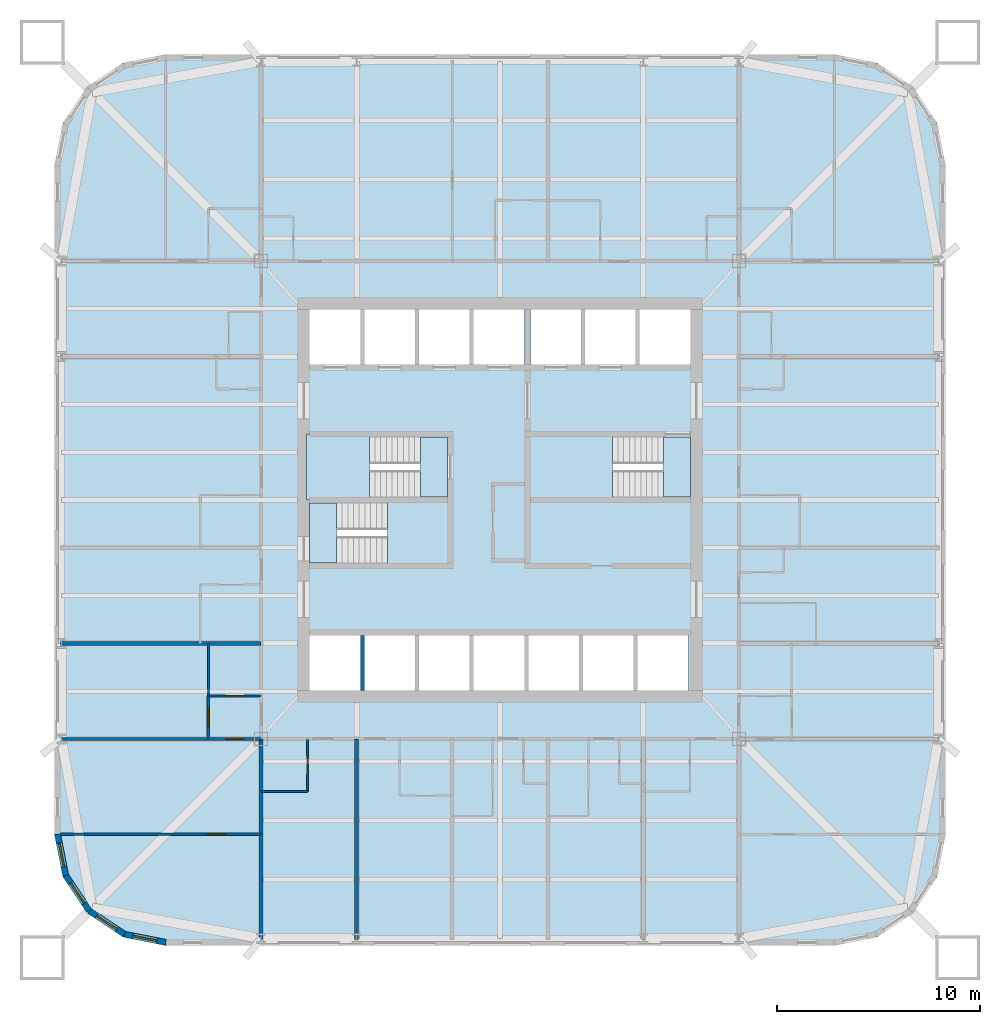
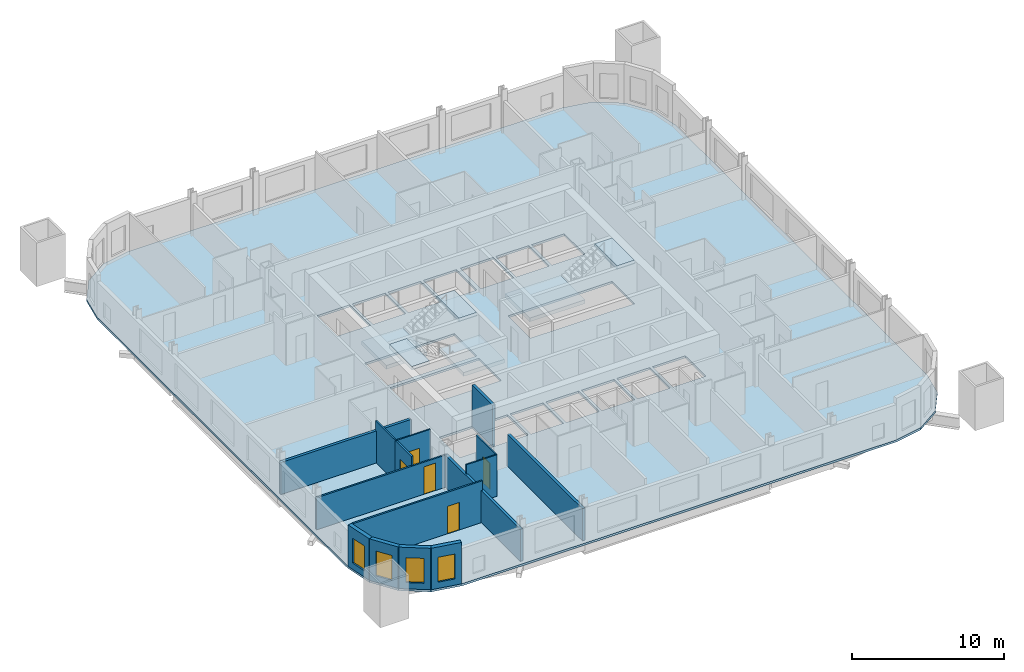
# One storey, part 2 of 9: 15 walls, 7 slabs, 5 doors, 4 windows, 9 openings, 3 elements without a shape of their own.
"""IFC4 building model written with IfcOpenShell, lengths in metres."""

import ifcopenshell
import ifcopenshell.guid

model = None  # the IFC model being written
_history = None  # IfcOwnerHistory: only IFC2X3 demands one
_inside = {}  # id of a spatial element -> (the spatial element, [elements in it])
_under = {}  # id of a project, library or spatial element -> (it, [spatial elements below it])
_declared = {}  # id of a project -> (the project, [libraries it declares])
_typed = {}  # id of a type object -> (the type object, [elements of that type])
_made_of = {}  # id of a material, layer set ... -> (it, [elements and type objects made of it])


def new_model(schema):
    """Start an empty IFC model of exactly this schema.

    Asked for "IFC4X3", IfcOpenShell would pick the latest addendum, in which some entities
    have other attributes; the version numbers below select the first issue.
    IFC2X3 requires an IfcOwnerHistory on every rooted entity: one is made here for all.
    """
    global model, _history
    if schema == "IFC4X3":
        model = ifcopenshell.file(schema_version=(4, 3, 0, 0))
    else:
        model = ifcopenshell.file(schema=schema)
    _inside.clear()
    _under.clear()
    _declared.clear()
    _typed.clear()
    _made_of.clear()
    _history = None
    if model.schema == "IFC2X3":
        org = make("IfcOrganization", Name="unknown")
        user = make(
            "IfcPersonAndOrganization",
            ThePerson=make("IfcPerson", FamilyName="unknown"),
            TheOrganization=org,
        )
        app = make(
            "IfcApplication",
            ApplicationDeveloper=org,
            Version="unknown",
            ApplicationFullName="unknown",
            ApplicationIdentifier="unknown",
        )
        _history = make(
            "IfcOwnerHistory",
            OwningUser=user,
            OwningApplication=app,
            ChangeAction="ADDED",
            CreationDate=0,
        )
    return model


def make(cls, **values):
    """One entity of the class cls with the attributes given. An attribute that is None is left unset."""
    return model.create_entity(
        cls, **{name: value for name, value in values.items() if value is not None}
    )


def rooted(cls, **values):
    """An entity with a GlobalId (a new one), such as an element, a storey or a relation."""
    return make(cls, GlobalId=ifcopenshell.guid.new(), OwnerHistory=_history, **values)


def si_unit(unit_type, name, prefix=None):
    """IfcSIUnit, for example si_unit("LENGTHUNIT", "METRE", prefix="MILLI")."""
    return make("IfcSIUnit", UnitType=unit_type, Prefix=prefix, Name=name)


def assignment(units):
    """IfcUnitAssignment: the units of a project."""
    return None if units is None else make("IfcUnitAssignment", Units=units)


def point(xyz):
    """IfcCartesianPoint."""
    return None if xyz is None else make("IfcCartesianPoint", Coordinates=xyz)


def direction(xyz):
    """IfcDirection."""
    return None if xyz is None else make("IfcDirection", DirectionRatios=xyz)


def frame(location, z_axis=None, x_axis=None):
    """IfcAxis2Placement3D, a coordinate frame: its origin and axes. An axis left out is left unset."""
    return make(
        "IfcAxis2Placement3D",
        Location=point(location),
        Axis=direction(z_axis),
        RefDirection=direction(x_axis),
    )


def frame_2d(location, x_axis=None):
    """IfcAxis2Placement2D, a coordinate frame in the plane: its origin and x axis."""
    return make(
        "IfcAxis2Placement2D", Location=point(location), RefDirection=direction(x_axis)
    )


def origin():
    """The frame at (0, 0, 0) with its axes left unset."""
    return frame((0.0, 0.0, 0.0))


def place(relative_to, where):
    """IfcLocalPlacement: puts the frame where relative to a parent placement (None: the world)."""
    return make(
        "IfcLocalPlacement", PlacementRelTo=relative_to, RelativePlacement=where
    )


def context(
    kind, dimensions, precision=None, world=None, true_north=None, identifier=None
):
    """IfcGeometricRepresentationContext, for example the 3D "Model" context."""
    return make(
        "IfcGeometricRepresentationContext",
        ContextIdentifier=identifier,
        ContextType=kind,
        CoordinateSpaceDimension=dimensions,
        Precision=precision,
        WorldCoordinateSystem=world,
        TrueNorth=true_north,
    )


def subcontext(parent, identifier, kind, view, scale=None):
    """IfcGeometricRepresentationSubContext, for example "Body" below "Model"."""
    return make(
        "IfcGeometricRepresentationSubContext",
        ContextIdentifier=identifier,
        ContextType=kind,
        ParentContext=parent,
        TargetScale=scale,
        TargetView=view,
    )


def project(units=None, contexts=None):
    """IfcProject with its units and contexts."""
    return rooted(
        "IfcProject",
        Name="project",
        RepresentationContexts=contexts,
        UnitsInContext=assignment(units),
    )


def spatial(cls, under=None, at=None, **own):
    """A site, building, storey or space (cls), placed at a placement, below another one or the project."""
    s = rooted(cls, ObjectPlacement=at, **own)
    if under is not None:
        _under.setdefault(under.id(), (under, []))[1].append(s)
    return s


def polyline(points):
    """IfcPolyline through the points."""
    return make("IfcPolyline", Points=[point(p) for p in points])


def profile(cls, at=None, kind="AREA", **sizes):
    """A parametric profile (cls). Its sizes go by their IFC names, for example OverallWidth=200.0."""
    return make(cls, ProfileType=kind, Position=at, **sizes)


def rectangle(**sizes):
    """IfcRectangleProfileDef."""
    return profile("IfcRectangleProfileDef", **sizes)


def outline(outer, holes=None, kind="AREA"):
    """IfcArbitraryClosedProfileDef: a profile drawn as a closed curve; with holes, ...WithVoids."""
    if holes is None:
        return make("IfcArbitraryClosedProfileDef", ProfileType=kind, OuterCurve=outer)
    return make(
        "IfcArbitraryProfileDefWithVoids",
        ProfileType=kind,
        OuterCurve=outer,
        InnerCurves=holes,
    )


def extrude(swept, where, along, depth):
    """IfcExtrudedAreaSolid: the profile swept, set in the frame where, extruded along a direction by depth."""
    return make(
        "IfcExtrudedAreaSolid",
        SweptArea=swept,
        Position=where,
        ExtrudedDirection=direction(along),
        Depth=depth,
    )


def shape(context_of_items, identifier, shape_type, items):
    """IfcShapeRepresentation: the items that make up one representation, for example the "Body"."""
    return make(
        "IfcShapeRepresentation",
        ContextOfItems=context_of_items,
        RepresentationIdentifier=identifier,
        RepresentationType=shape_type,
        Items=items,
    )


def material(Name=None, Category=None):
    """IfcMaterial."""
    return make("IfcMaterial", Name=Name, Category=Category)


def layer(
    of_material, thickness, ventilated=None, Name=None, Category=None, Priority=None
):
    """IfcMaterialLayer: one layer of a wall or slab, of a material (None: an air gap)."""
    return make(
        "IfcMaterialLayer",
        Material=of_material,
        LayerThickness=thickness,
        IsVentilated=ventilated,
        Name=Name,
        Category=Category,
        Priority=Priority,
    )


def layer_set(layers, Name=None):
    """IfcMaterialLayerSet."""
    return make("IfcMaterialLayerSet", MaterialLayers=layers, LayerSetName=Name)


def made_of(thing, what):
    """Note that an element or type object is made of a material, layer set ...; save() writes the relation."""
    if what is not None:
        _made_of.setdefault(what.id(), (what, []))[1].append(thing)
    return thing


def type_object(cls, material=None, **own):
    """A type object (cls), such as IfcWallType, which elements share."""
    return made_of(rooted(cls, **own), material)


def element(
    cls,
    number,
    at=None,
    inside=None,
    cuts=None,
    type_object=None,
    material=None,
    context=None,
    identifier="Body",
    shape_type=None,
    held_by="IfcProductDefinitionShape",
    body=None,
    shapes=None,
    **own,
):
    """One element of the class cls, such as IfcWall. Its Tag is "e" and its number.

    at: its placement. inside: the storey or other place that contains it. cuts: it is an
    opening in that element (IfcRelVoidsElement). A single representation is given by context,
    identifier, shape_type and body (its items); several are given by shapes. held_by: the class
    of the entity that holds the representations. save() writes the other relations.
    """
    e = rooted(cls, Tag="e%d" % number, ObjectPlacement=at, **own)
    if body is not None:
        shapes = [shape(context, identifier, shape_type, body)]
    if shapes is not None:
        e.Representation = make(held_by, Representations=shapes)
    if inside is not None:
        _inside.setdefault(inside.id(), (inside, []))[1].append(e)
    if cuts is not None:
        rooted(
            "IfcRelVoidsElement", RelatingBuildingElement=cuts, RelatedOpeningElement=e
        )
    if type_object is not None:
        _typed.setdefault(type_object.id(), (type_object, []))[1].append(e)
    return made_of(e, material)


def fill(opening, filler):
    """IfcRelFillsElement: the door or window that sits in an opening."""
    return rooted(
        "IfcRelFillsElement",
        RelatingOpeningElement=opening,
        RelatedBuildingElement=filler,
    )


def aggregate(whole, parts):
    """IfcRelAggregates: a whole, such as a stair, and the parts it consists of."""
    return rooted("IfcRelAggregates", RelatingObject=whole, RelatedObjects=parts)


def save(model, path):
    """Write the relations noted so far, then the file.

    IfcRelAggregates (storeys below a building ...), IfcRelContainedInSpatialStructure (elements
    in a storey), IfcRelDefinesByType, IfcRelAssociatesMaterial and IfcRelDeclares: one each for
    every whole, place, type object, material and project.
    """
    for whole, parts in _under.values():
        aggregate(whole, parts)
    for where, things in _inside.values():
        rooted(
            "IfcRelContainedInSpatialStructure",
            RelatedElements=things,
            RelatingStructure=where,
        )
    for kind, things in _typed.values():
        rooted("IfcRelDefinesByType", RelatedObjects=things, RelatingType=kind)
    for what, things in _made_of.values():
        rooted("IfcRelAssociatesMaterial", RelatedObjects=things, RelatingMaterial=what)
    for by, libraries in _declared.values():
        rooted("IfcRelDeclares", RelatingContext=by, RelatedDefinitions=libraries)
    model.write(path)


model = new_model("IFC4")

# Units and contexts
model_context = context("Model", 3, precision=1e-05, world=origin(), true_north=direction((0.0, 1.0)))
body_context = subcontext(model_context, "Body", "Model", "MODEL_VIEW")
ifc_project = project(units=[si_unit("LENGTHUNIT", "METRE"), si_unit("AREAUNIT", "SQUARE_METRE"), si_unit("VOLUMEUNIT", "CUBIC_METRE"), si_unit("PLANEANGLEUNIT", "RADIAN"), si_unit("MASSUNIT", "GRAM", prefix="KILO")], contexts=[model_context])

# Site, building, storey
site_placement = place(None, origin())
site = spatial("IfcSite", under=ifc_project, at=site_placement, CompositionType="ELEMENT")
building_placement = place(site_placement, origin())
building = spatial("IfcBuilding", under=site, at=building_placement, Name="Turquesa Mirador Hotel Tower", CompositionType="ELEMENT")
storey_placement = place(building_placement, frame((0.0, 0.0, 74.0)))
storey = spatial("IfcBuildingStorey", under=building, at=storey_placement, Name="L19", CompositionType="ELEMENT", Elevation=74.0)

# Slab
ifc_material_1 = material(Name="Concrete C28/35", Category="concrete")
ifc_layer_1 = layer(ifc_material_1, 0.169921875)
ifc_layer_set_1 = layer_set([ifc_layer_1], Name="COMPOSITE FLOOR SLAB 170")
slab_type_1 = type_object("IfcSlabType", Name="COMPOSITE FLOOR SLAB 170", PredefinedType="FLOOR", material=ifc_layer_set_1)
slab_1_placement = place(storey_placement, frame((0.0, 0.0, -0.169921875)))
element("IfcSlab", 1, at=slab_1_placement, inside=storey, type_object=slab_type_1, Name="Floor slab L19", PredefinedType="FLOOR", context=body_context, shape_type="SweptSolid", body=[
    extrude(outline(polyline([(71.5, 23.0), (73.604736328125, 23.418701171875), (75.38916015625, 24.61083984375), (76.581298828125, 26.395263671875), (77.0, 28.5), (77.0, 61.5), (76.581298828125, 63.604736328125), (75.38916015625, 65.38916015625), (73.604736328125, 66.581298828125), (71.5, 67.0), (38.5, 67.0), (36.395263671875, 66.581298828125), (34.61083984375, 65.38916015625), (33.418701171875, 63.604736328125), (33.0, 61.5), (33.0, 28.5), (33.418701171875, 26.395263671875), (34.61083984375, 24.61083984375), (36.395263671875, 23.418701171875), (38.5, 23.0), (71.5, 23.0)]), holes=[polyline([(45.60009765625, 51.699951171875), (48.10009765625, 51.699951171875), (48.10009765625, 54.39990234375), (45.60009765625, 54.39990234375), (45.60009765625, 51.699951171875)]), polyline([(48.300048828125, 51.699951171875), (50.800048828125, 51.699951171875), (50.800048828125, 54.39990234375), (48.300048828125, 54.39990234375), (48.300048828125, 51.699951171875)]), polyline([(51.0, 51.699951171875), (53.5, 51.699951171875), (53.5, 54.39990234375), (51.0, 54.39990234375), (51.0, 51.699951171875)]), polyline([(53.699951171875, 51.699951171875), (56.199951171875, 51.699951171875), (56.199951171875, 54.39990234375), (53.699951171875, 54.39990234375), (53.699951171875, 51.699951171875)]), polyline([(56.5, 51.699951171875), (59.0, 51.699951171875), (59.0, 54.39990234375), (56.5, 54.39990234375), (56.5, 51.699951171875)]), polyline([(59.199951171875, 51.699951171875), (61.699951171875, 51.699951171875), (61.699951171875, 54.39990234375), (59.199951171875, 54.39990234375), (59.199951171875, 51.699951171875)]), polyline([(45.60009765625, 35.60009765625), (48.10009765625, 35.60009765625), (48.10009765625, 38.300048828125), (45.60009765625, 38.300048828125), (45.60009765625, 35.60009765625)]), polyline([(48.300048828125, 35.60009765625), (50.800048828125, 35.60009765625), (50.800048828125, 38.300048828125), (48.300048828125, 38.300048828125), (48.300048828125, 35.60009765625)]), polyline([(51.0, 35.60009765625), (53.5, 35.60009765625), (53.5, 38.300048828125), (51.0, 38.300048828125), (51.0, 35.60009765625)]), polyline([(53.699951171875, 35.60009765625), (56.199951171875, 35.60009765625), (56.199951171875, 38.300048828125), (53.699951171875, 38.300048828125), (53.699951171875, 35.60009765625)]), polyline([(56.39990234375, 35.60009765625), (58.89990234375, 35.60009765625), (58.89990234375, 38.300048828125), (56.39990234375, 38.300048828125), (56.39990234375, 35.60009765625)]), polyline([(59.10009765625, 35.60009765625), (61.60009765625, 35.60009765625), (61.60009765625, 38.300048828125), (59.10009765625, 38.300048828125), (59.10009765625, 35.60009765625)]), polyline([(61.800048828125, 35.60009765625), (64.300048828125, 35.60009765625), (64.300048828125, 38.300048828125), (61.800048828125, 38.300048828125), (61.800048828125, 35.60009765625)]), polyline([(45.60009765625, 45.14990234375), (52.39990234375, 45.14990234375), (52.39990234375, 48.10009765625), (45.60009765625, 48.10009765625), (45.60009765625, 45.14990234375)]), polyline([(45.60009765625, 41.89990234375), (52.39990234375, 41.89990234375), (52.39990234375, 44.85009765625), (45.60009765625, 44.85009765625), (45.60009765625, 41.89990234375)]), polyline([(56.5, 45.14990234375), (64.39990234375, 45.14990234375), (64.39990234375, 48.10009765625), (56.5, 48.10009765625), (56.5, 45.14990234375)]), polyline([(61.89990234375, 51.699951171875), (64.39990234375, 51.699951171875), (64.39990234375, 54.39990234375), (61.89990234375, 54.39990234375), (61.89990234375, 51.699951171875)])]), origin(), (0.0, 0.0, 1.0), 0.169921875),
])

# Stair, slabs
ifc_material_2 = material(Name="Concrete C35/45", Category="concrete")
stair_type = type_object("IfcStairType", Name="ESCAPE STAIR CORE", PredefinedType="HALF_TURN_STAIR", material=ifc_material_2)
stair_1_placement = place(storey_placement, origin())
stair_1 = element("IfcStair", 2, at=stair_1_placement, inside=storey, type_object=stair_type, Name="Stair ST1 L19 to L20", PredefinedType="HALF_TURN_STAIR")
ifc_material_3 = material(Name="Concrete C35/45", Category="concrete")
ifc_layer_2 = layer(ifc_material_3, 0.300048828125)
ifc_layer_set_2 = layer_set([ifc_layer_2], Name="STAIR LANDING 300")
slab_type_2 = type_object("IfcSlabType", Name="STAIR LANDING 300", PredefinedType="LANDING", material=ifc_layer_set_2)
slab_2_placement = place(storey_placement, frame((0.0, 0.0, 1.449951171875)))
slab_2 = element("IfcSlab", 3, at=slab_2_placement, type_object=slab_type_2, Name="ST1 landing 1", PredefinedType="LANDING", context=body_context, shape_type="SweptSolid", body=[
    extrude(outline(polyline([(45.449951171875, 45.0), (48.550048828125, 45.0), (48.550048828125, 48.25), (45.449951171875, 48.25), (45.449951171875, 45.0)])), origin(), (0.0, 0.0, 1.0), 0.300048828125),
])
slab_3_placement = place(storey_placement, frame((0.0, 0.0, 3.199951171875)))
slab_3 = element("IfcSlab", 4, at=slab_3_placement, type_object=slab_type_2, Name="ST1 landing 2", PredefinedType="LANDING", context=body_context, shape_type="SweptSolid", body=[
    extrude(outline(polyline([(51.070068359375, 45.14990234375), (52.39990234375, 45.14990234375), (52.39990234375, 48.10009765625), (51.070068359375, 48.10009765625), (51.070068359375, 45.14990234375)])), origin(), (0.0, 0.0, 1.0), 0.300048828125),
])
aggregate(stair_1, [slab_2, slab_3])

stair_2_placement = place(storey_placement, origin())
stair_2 = element("IfcStair", 5, at=stair_2_placement, inside=storey, type_object=stair_type, Name="Stair ST2 L19 to L20", PredefinedType="HALF_TURN_STAIR")
slab_4_placement = place(storey_placement, frame((0.0, 0.0, 1.449951171875)))
slab_4 = element("IfcSlab", 6, at=slab_4_placement, type_object=slab_type_2, Name="ST2 landing 1", PredefinedType="LANDING", context=body_context, shape_type="SweptSolid", body=[
    extrude(outline(polyline([(52.550048828125, 45.0), (49.449951171875, 45.0), (49.449951171875, 41.75), (52.550048828125, 41.75), (52.550048828125, 45.0)])), origin(), (0.0, 0.0, 1.0), 0.300048828125),
])
slab_5_placement = place(storey_placement, frame((0.0, 0.0, 3.199951171875)))
slab_5 = element("IfcSlab", 7, at=slab_5_placement, type_object=slab_type_2, Name="ST2 landing 2", PredefinedType="LANDING", context=body_context, shape_type="SweptSolid", body=[
    extrude(outline(polyline([(46.929931640625, 44.85009765625), (45.60009765625, 44.85009765625), (45.60009765625, 41.89990234375), (46.929931640625, 41.89990234375), (46.929931640625, 44.85009765625)])), origin(), (0.0, 0.0, 1.0), 0.300048828125),
])
aggregate(stair_2, [slab_4, slab_5])

stair_3_placement = place(storey_placement, origin())
stair_3 = element("IfcStair", 8, at=stair_3_placement, inside=storey, type_object=stair_type, Name="Stair ST3 L19 to L20", PredefinedType="HALF_TURN_STAIR")
slab_6_placement = place(storey_placement, frame((0.0, 0.0, 1.449951171875)))
slab_6 = element("IfcSlab", 9, at=slab_6_placement, type_object=slab_type_2, Name="ST3 landing 1", PredefinedType="LANDING", context=body_context, shape_type="SweptSolid", body=[
    extrude(outline(polyline([(56.35009765625, 45.0), (60.550048828125, 45.0), (60.550048828125, 48.25), (56.35009765625, 48.25), (56.35009765625, 45.0)])), origin(), (0.0, 0.0, 1.0), 0.300048828125),
])
slab_7_placement = place(storey_placement, frame((0.0, 0.0, 3.199951171875)))
slab_7 = element("IfcSlab", 10, at=slab_7_placement, type_object=slab_type_2, Name="ST3 landing 2", PredefinedType="LANDING", context=body_context, shape_type="SweptSolid", body=[
    extrude(outline(polyline([(63.070068359375, 45.14990234375), (64.39990234375, 45.14990234375), (64.39990234375, 48.10009765625), (63.070068359375, 48.10009765625), (63.070068359375, 45.14990234375)])), origin(), (0.0, 0.0, 1.0), 0.300048828125),
])
aggregate(stair_3, [slab_6, slab_7])

# Wall
ifc_material_4 = material(Name="Gypsum board on steel studs", Category="steel")
ifc_layer_3 = layer(ifc_material_4, 0.10009765625)
ifc_layer_set_3 = layer_set([ifc_layer_3], Name="BATHROOM WALL 100")
wall_type_1 = type_object("IfcWallType", Name="BATHROOM WALL 100", PredefinedType="PARTITIONING", material=ifc_layer_set_3)
wall_1_placement = place(storey_placement, frame((43.199951171875, 30.60009765625, 0.0), z_axis=(0.0, 0.0, 1.0), x_axis=(1.0, 0.0, 0.0)))
element("IfcWall", 11, at=wall_1_placement, inside=storey, type_object=wall_type_1, Name="Partition L19 006", PredefinedType="PARTITIONING", context=body_context, shape_type="SweptSolid", body=[
    extrude(rectangle(XDim=2.300048828125, YDim=0.10009765625, at=frame_2d((1.14990234375, 0.0))), origin(), (0.0, 0.0, 1.0), 3.330078125),
])

# Wall, opening, door
wall_2_placement = place(storey_placement, frame((40.60009765625, 35.320068359375, 0.0), z_axis=(0.0, 0.0, 1.0), x_axis=(1.0, 0.0, 0.0)))
wall_2 = element("IfcWall", 12, at=wall_2_placement, inside=storey, type_object=wall_type_1, Name="Partition L19 020", PredefinedType="PARTITIONING", context=body_context, shape_type="SweptSolid", body=[
    extrude(rectangle(XDim=2.599853515625, YDim=0.10009765625, at=frame_2d((1.2998046875, 0.0))), origin(), (0.0, 0.0, 1.0), 3.330078125),
])
opening_1_placement = place(wall_2_placement, frame((0.85009765625, 0.0, 0.0)))
opening_1 = element("IfcOpeningElement", 13, at=opening_1_placement, cuts=wall_2, Name="Opening D02", PredefinedType="OPENING", context=body_context, shape_type="SweptSolid", body=[
    extrude(rectangle(XDim=0.89990234375, YDim=2.10009765625, at=frame_2d((0.449951171875, 1.050048828125))), frame((0.0, 0.06005859375, 0.0), z_axis=(0.0, -1.0, 0.0), x_axis=(1.0, 0.0, 0.0)), (0.0, 0.0, 1.0), 0.1201171875),
])
ifc_material_5 = material(Name="Timber veneered door", Category="wood")
door_type_1 = type_object("IfcDoorType", Name="DOOR 900X2100 EN-SUITE", OperationType="SINGLE_SWING_RIGHT", PredefinedType="DOOR", material=ifc_material_5)
door_1_placement = place(opening_1_placement, origin())
door_1 = element("IfcDoor", 14, at=door_1_placement, inside=storey, type_object=door_type_1, Name="Door 1914B", OperationType="SINGLE_SWING_RIGHT", OverallHeight=2.10009765625, OverallWidth=0.89990234375, PredefinedType="DOOR", context=body_context, shape_type="SweptSolid", body=[
    extrude(rectangle(XDim=0.89990234375, YDim=2.10009765625, at=frame_2d((0.449951171875, 1.050048828125))), frame((0.0, 0.02490234375, 0.0), z_axis=(0.0, -1.0, 0.0), x_axis=(1.0, 0.0, 0.0)), (0.0, 0.0, 1.0), 0.050048828125),
])
fill(opening_1, door_1)

# Wall
wall_3_placement = place(storey_placement, frame((40.60009765625, 35.320068359375, 0.0), z_axis=(0.0, 0.0, 1.0), x_axis=(0.0, 1.0, 0.0)))
element("IfcWall", 15, at=wall_3_placement, inside=storey, type_object=wall_type_1, Name="Partition L19 048", PredefinedType="PARTITIONING", context=body_context, shape_type="SweptSolid", body=[
    extrude(rectangle(XDim=2.599853515625, YDim=0.10009765625, at=frame_2d((1.2998046875, 0.0))), origin(), (0.0, 0.0, 1.0), 3.330078125),
])

# Wall, opening, door
wall_4_placement = place(storey_placement, frame((45.5, 30.60009765625, 0.0), z_axis=(0.0, 0.0, 1.0), x_axis=(0.0, 1.0, 0.0)))
wall_4 = element("IfcWall", 16, at=wall_4_placement, inside=storey, type_object=wall_type_1, Name="Partition L19 058", PredefinedType="PARTITIONING", context=body_context, shape_type="SweptSolid", body=[
    extrude(rectangle(XDim=2.599853515625, YDim=0.10009765625, at=frame_2d((1.2998046875, 0.0))), origin(), (0.0, 0.0, 1.0), 3.330078125),
])
opening_2_placement = place(wall_4_placement, frame((0.85009765625, 0.0, 0.0)))
opening_2 = element("IfcOpeningElement", 17, at=opening_2_placement, cuts=wall_4, Name="Opening D02", PredefinedType="OPENING", context=body_context, shape_type="SweptSolid", body=[
    extrude(rectangle(XDim=0.89990234375, YDim=2.10009765625, at=frame_2d((0.449951171875, 1.050048828125))), frame((0.0, 0.06005859375, 0.0), z_axis=(0.0, -1.0, 0.0), x_axis=(1.0, 0.0, 0.0)), (0.0, 0.0, 1.0), 0.1201171875),
])
door_2_placement = place(opening_2_placement, origin())
door_2 = element("IfcDoor", 18, at=door_2_placement, inside=storey, type_object=door_type_1, Name="Door 1903B", OperationType="SINGLE_SWING_RIGHT", OverallHeight=2.10009765625, OverallWidth=0.89990234375, PredefinedType="DOOR", context=body_context, shape_type="SweptSolid", body=[
    extrude(rectangle(XDim=0.89990234375, YDim=2.10009765625, at=frame_2d((0.449951171875, 1.050048828125))), frame((0.0, 0.02490234375, 0.0), z_axis=(0.0, -1.0, 0.0), x_axis=(1.0, 0.0, 0.0)), (0.0, 0.0, 1.0), 0.050048828125),
])
fill(opening_2, door_2)

# Wall, opening, window
ifc_material_6 = material(Name="Limestone cladding on concrete block", Category="masonry")
ifc_layer_4 = layer(ifc_material_6, 0.300048828125)
ifc_layer_set_4 = layer_set([ifc_layer_4], Name="FACADE WALL 300 STONE SCREEN")
wall_type_2 = type_object("IfcWallType", Name="FACADE WALL 300 STONE SCREEN", PredefinedType="SOLIDWALL", material=ifc_layer_set_4)
wall_5_placement = place(storey_placement, frame((33.14990234375, 28.5, 0.0), z_axis=(0.0, 0.0, 1.0), x_axis=(0.195081421501, -0.980787050784, 0.0)))
wall_5 = element("IfcWall", 19, at=wall_5_placement, inside=storey, type_object=wall_type_2, Name="Facade wall L19 15", PredefinedType="SOLIDWALL", context=body_context, shape_type="SweptSolid", body=[
    extrude(rectangle(XDim=2.08740234375, YDim=0.300048828125, at=frame_2d((1.043701171875, 0.0))), origin(), (0.0, 0.0, 1.0), 3.330078125),
])
opening_3_placement = place(wall_5_placement, frame((0.443603515625, 0.0, 0.5)))
opening_3 = element("IfcOpeningElement", 20, at=opening_3_placement, cuts=wall_5, Name="Opening WN4", PredefinedType="OPENING", context=body_context, shape_type="SweptSolid", body=[
    extrude(rectangle(XDim=1.199951171875, YDim=2.0, at=frame_2d((0.60009765625, 1.0))), frame((0.0, 0.159912109375, 0.0), z_axis=(0.0, -1.0, 0.0), x_axis=(1.0, 0.0, 0.0)), (0.0, 0.0, 1.0), 0.320068359375),
])
ifc_material_7 = material(Name="Ceramic-fritted laminated glass", Category="glass")
window_type = type_object("IfcWindowType", Name="FRITTED CORNER WINDOW 1200X2000", PartitioningType="DOUBLE_PANEL_HORIZONTAL", PredefinedType="WINDOW", material=ifc_material_7)
window_1_placement = place(opening_3_placement, origin())
window_1 = element("IfcWindow", 21, at=window_1_placement, inside=storey, type_object=window_type, Name="Window L19", OverallHeight=2.0, OverallWidth=1.199951171875, PartitioningType="SINGLE_PANEL", PredefinedType="WINDOW", context=body_context, shape_type="SweptSolid", body=[
    extrude(rectangle(XDim=1.199951171875, YDim=2.0, at=frame_2d((0.60009765625, 1.0))), frame((0.0, 0.030029296875, 0.0), z_axis=(0.0, -1.0, 0.0), x_axis=(1.0, 0.0, 0.0)), (0.0, 0.0, 1.0), 0.06005859375),
])
fill(opening_3, window_1)

wall_6_placement = place(storey_placement, frame((33.55712890625, 26.45263671875, 0.0), z_axis=(0.0, 0.0, 1.0), x_axis=(0.555644460423, -0.831420010345, 0.0)))
wall_6 = element("IfcWall", 22, at=wall_6_placement, inside=storey, type_object=wall_type_2, Name="Facade wall L19 16", PredefinedType="SOLIDWALL", context=body_context, shape_type="SweptSolid", body=[
    extrude(rectangle(XDim=2.08740234375, YDim=0.300048828125, at=frame_2d((1.043701171875, 0.0))), origin(), (0.0, 0.0, 1.0), 3.330078125),
])
opening_4_placement = place(wall_6_placement, frame((0.443603515625, 0.0, 0.5)))
opening_4 = element("IfcOpeningElement", 23, at=opening_4_placement, cuts=wall_6, Name="Opening WN4", PredefinedType="OPENING", context=body_context, shape_type="SweptSolid", body=[
    extrude(rectangle(XDim=1.199951171875, YDim=2.0, at=frame_2d((0.60009765625, 1.0))), frame((0.0, 0.159912109375, 0.0), z_axis=(0.0, -1.0, 0.0), x_axis=(1.0, 0.0, 0.0)), (0.0, 0.0, 1.0), 0.320068359375),
])
window_2_placement = place(opening_4_placement, origin())
window_2 = element("IfcWindow", 24, at=window_2_placement, inside=storey, type_object=window_type, Name="Window L19", OverallHeight=2.0, OverallWidth=1.199951171875, PartitioningType="SINGLE_PANEL", PredefinedType="WINDOW", context=body_context, shape_type="SweptSolid", body=[
    extrude(rectangle(XDim=1.199951171875, YDim=2.0, at=frame_2d((0.60009765625, 1.0))), frame((0.0, 0.030029296875, 0.0), z_axis=(0.0, -1.0, 0.0), x_axis=(1.0, 0.0, 0.0)), (0.0, 0.0, 1.0), 0.06005859375),
])
fill(opening_4, window_2)

wall_7_placement = place(storey_placement, frame((34.717041015625, 24.717041015625, 0.0), z_axis=(0.0, 0.0, 1.0), x_axis=(0.831420010345, -0.555644460423, 0.0)))
wall_7 = element("IfcWall", 25, at=wall_7_placement, inside=storey, type_object=wall_type_2, Name="Facade wall L19 17", PredefinedType="SOLIDWALL", context=body_context, shape_type="SweptSolid", body=[
    extrude(rectangle(XDim=2.08740234375, YDim=0.300048828125, at=frame_2d((1.043701171875, 0.0))), origin(), (0.0, 0.0, 1.0), 3.330078125),
])
opening_5_placement = place(wall_7_placement, frame((0.443603515625, 0.0, 0.5)))
opening_5 = element("IfcOpeningElement", 26, at=opening_5_placement, cuts=wall_7, Name="Opening WN4", PredefinedType="OPENING", context=body_context, shape_type="SweptSolid", body=[
    extrude(rectangle(XDim=1.199951171875, YDim=2.0, at=frame_2d((0.60009765625, 1.0))), frame((0.0, 0.159912109375, 0.0), z_axis=(0.0, -1.0, 0.0), x_axis=(1.0, 0.0, 0.0)), (0.0, 0.0, 1.0), 0.320068359375),
])
window_3_placement = place(opening_5_placement, origin())
window_3 = element("IfcWindow", 27, at=window_3_placement, inside=storey, type_object=window_type, Name="Window L19", OverallHeight=2.0, OverallWidth=1.199951171875, PartitioningType="SINGLE_PANEL", PredefinedType="WINDOW", context=body_context, shape_type="SweptSolid", body=[
    extrude(rectangle(XDim=1.199951171875, YDim=2.0, at=frame_2d((0.60009765625, 1.0))), frame((0.0, 0.030029296875, 0.0), z_axis=(0.0, -1.0, 0.0), x_axis=(1.0, 0.0, 0.0)), (0.0, 0.0, 1.0), 0.06005859375),
])
fill(opening_5, window_3)

wall_8_placement = place(storey_placement, frame((36.45263671875, 23.55712890625, 0.0), z_axis=(0.0, 0.0, 1.0), x_axis=(0.980787050784, -0.195081421501, 0.0)))
wall_8 = element("IfcWall", 28, at=wall_8_placement, inside=storey, type_object=wall_type_2, Name="Facade wall L19 18", PredefinedType="SOLIDWALL", context=body_context, shape_type="SweptSolid", body=[
    extrude(rectangle(XDim=2.08740234375, YDim=0.300048828125, at=frame_2d((1.043701171875, 0.0))), origin(), (0.0, 0.0, 1.0), 3.330078125),
])
opening_6_placement = place(wall_8_placement, frame((0.443603515625, 0.0, 0.5)))
opening_6 = element("IfcOpeningElement", 29, at=opening_6_placement, cuts=wall_8, Name="Opening WN4", PredefinedType="OPENING", context=body_context, shape_type="SweptSolid", body=[
    extrude(rectangle(XDim=1.199951171875, YDim=2.0, at=frame_2d((0.60009765625, 1.0))), frame((0.0, 0.159912109375, 0.0), z_axis=(0.0, -1.0, 0.0), x_axis=(1.0, 0.0, 0.0)), (0.0, 0.0, 1.0), 0.320068359375),
])
window_4_placement = place(opening_6_placement, origin())
window_4 = element("IfcWindow", 30, at=window_4_placement, inside=storey, type_object=window_type, Name="Window L19", OverallHeight=2.0, OverallWidth=1.199951171875, PartitioningType="SINGLE_PANEL", PredefinedType="WINDOW", context=body_context, shape_type="SweptSolid", body=[
    extrude(rectangle(XDim=1.199951171875, YDim=2.0, at=frame_2d((0.60009765625, 1.0))), frame((0.0, 0.030029296875, 0.0), z_axis=(0.0, -1.0, 0.0), x_axis=(1.0, 0.0, 0.0)), (0.0, 0.0, 1.0), 0.06005859375),
])
fill(opening_6, window_4)

# Walls
ifc_material_8 = material(Name="Fire-rated gypsum shaft wall on steel studs", Category="steel")
ifc_layer_5 = layer(ifc_material_8, 0.199951171875)
ifc_layer_set_5 = layer_set([ifc_layer_5], Name="LIFT SHAFT DIVIDER 200")
wall_type_3 = type_object("IfcWallType", Name="LIFT SHAFT DIVIDER 200", PredefinedType="PARTITIONING", material=ifc_layer_set_5)
wall_9_placement = place(storey_placement, frame((48.199951171875, 35.60009765625, 0.0), z_axis=(0.0, 0.0, 1.0), x_axis=(0.0, 1.0, 0.0)))
element("IfcWall", 31, at=wall_9_placement, inside=storey, type_object=wall_type_3, Name="Lift shaft divider", PredefinedType="PARTITIONING", context=body_context, shape_type="SweptSolid", body=[
    extrude(rectangle(XDim=2.699951171875, YDim=0.199951171875, at=frame_2d((1.35009765625, 0.0))), origin(), (0.0, 0.0, 1.0), 3.330078125),
])
ifc_material_9 = material(Name="Fire-rated gypsum board on steel studs", Category="steel")
ifc_layer_6 = layer(ifc_material_9, 0.199951171875)
ifc_layer_set_6 = layer_set([ifc_layer_6], Name="PARTY WALL 200")
wall_type_4 = type_object("IfcWallType", Name="PARTY WALL 200", PredefinedType="PARTITIONING", material=ifc_layer_set_6)
for number, where, z_axis, x_axis, name in (
    (32, (33.300048828125, 37.919921875, 0.0), (0.0, 0.0, 1.0), (1.0, 0.0, 0.0), "Partition L19 018"),
    (33, (43.199951171875, 23.300048828125, 0.0), (0.0, 0.0, 1.0), (0.0, 1.0, 0.0), "Partition L19 044"),
    (34, (47.919921875, 23.300048828125, 0.0), (0.0, 0.0, 1.0), (0.0, 1.0, 0.0), "Partition L19 057"),
):
    element("IfcWall", number, at=place(storey_placement, frame(where, z_axis=z_axis, x_axis=x_axis)), inside=storey, type_object=wall_type_4, Name=name, PredefinedType="PARTITIONING", context=body_context, shape_type="SweptSolid", body=[
        extrude(rectangle(XDim=9.89990234375, YDim=0.199951171875, at=frame_2d((4.949951171875, 0.0))), origin(), (0.0, 0.0, 1.0), 2.572998046875),
    ])

# Wall, opening, door
ifc_material_10 = material(Name="Acoustic gypsum board on steel studs", Category="steel")
ifc_layer_7 = layer(ifc_material_10, 0.125)
ifc_layer_set_7 = layer_set([ifc_layer_7], Name="SUITE PARTITION 125")
wall_type_5 = type_object("IfcWallType", Name="SUITE PARTITION 125", PredefinedType="PARTITIONING", material=ifc_layer_set_7)
wall_10_placement = place(storey_placement, frame((33.300048828125, 33.199951171875, 0.0), z_axis=(0.0, 0.0, 1.0), x_axis=(1.0, 0.0, 0.0)))
wall_10 = element("IfcWall", 35, at=wall_10_placement, inside=storey, type_object=wall_type_5, Name="Partition L19 002", PredefinedType="PARTITIONING", context=body_context, shape_type="SweptSolid", body=[
    extrude(rectangle(XDim=9.89990234375, YDim=0.125, at=frame_2d((4.949951171875, 0.0))), origin(), (0.0, 0.0, 1.0), 2.572998046875),
])
opening_7_placement = place(wall_10_placement, frame((8.14990234375, 0.0, 0.0)))
opening_7 = element("IfcOpeningElement", 36, at=opening_7_placement, cuts=wall_10, Name="Opening D17", PredefinedType="OPENING", context=body_context, shape_type="SweptSolid", body=[
    extrude(rectangle(XDim=0.89990234375, YDim=2.199951171875, at=frame_2d((0.449951171875, 1.10009765625))), frame((0.0, 0.072509765625, 0.0), z_axis=(0.0, -1.0, 0.0), x_axis=(1.0, 0.0, 0.0)), (0.0, 0.0, 1.0), 0.14501953125),
])
ifc_material_11 = material(Name="Timber veneered door", Category="wood")
door_type_2 = type_object("IfcDoorType", Name="DOOR 900X2200 SUITE INTERNAL", OperationType="SINGLE_SWING_LEFT", PredefinedType="DOOR", material=ifc_material_11)
door_3_placement = place(opening_7_placement, origin())
door_3 = element("IfcDoor", 37, at=door_3_placement, inside=storey, type_object=door_type_2, Name="Door 1914", OperationType="SINGLE_SWING_LEFT", OverallHeight=2.199951171875, OverallWidth=0.89990234375, PredefinedType="DOOR", context=body_context, shape_type="SweptSolid", body=[
    extrude(rectangle(XDim=0.89990234375, YDim=2.199951171875, at=frame_2d((0.449951171875, 1.10009765625))), frame((0.0, 0.02490234375, 0.0), z_axis=(0.0, -1.0, 0.0), x_axis=(1.0, 0.0, 0.0)), (0.0, 0.0, 1.0), 0.050048828125),
])
fill(opening_7, door_3)

wall_11_placement = place(storey_placement, frame((33.305908203125, 28.5, 0.0), z_axis=(0.0, 0.0, 1.0), x_axis=(1.0, 0.0, 0.0)))
wall_11 = element("IfcWall", 38, at=wall_11_placement, inside=storey, type_object=wall_type_5, Name="Partition L19 011", PredefinedType="PARTITIONING", context=body_context, shape_type="SweptSolid", body=[
    extrude(rectangle(XDim=9.89404296875, YDim=0.125, at=frame_2d((4.947021484375, 0.0))), origin(), (0.0, 0.0, 1.0), 3.330078125),
])
opening_8_placement = place(wall_11_placement, frame((7.244140625, 0.0, 0.0)))
opening_8 = element("IfcOpeningElement", 39, at=opening_8_placement, cuts=wall_11, Name="Opening D17", PredefinedType="OPENING", context=body_context, shape_type="SweptSolid", body=[
    extrude(rectangle(XDim=0.89990234375, YDim=2.199951171875, at=frame_2d((0.449951171875, 1.10009765625))), frame((0.0, 0.072509765625, 0.0), z_axis=(0.0, -1.0, 0.0), x_axis=(1.0, 0.0, 0.0)), (0.0, 0.0, 1.0), 0.14501953125),
])
door_4_placement = place(opening_8_placement, origin())
door_4 = element("IfcDoor", 40, at=door_4_placement, inside=storey, type_object=door_type_2, Name="Door 1914M", OperationType="SINGLE_SWING_LEFT", OverallHeight=2.199951171875, OverallWidth=0.89990234375, PredefinedType="DOOR", context=body_context, shape_type="SweptSolid", body=[
    extrude(rectangle(XDim=0.89990234375, YDim=2.199951171875, at=frame_2d((0.449951171875, 1.10009765625))), frame((0.0, 0.02490234375, 0.0), z_axis=(0.0, -1.0, 0.0), x_axis=(1.0, 0.0, 0.0)), (0.0, 0.0, 1.0), 0.050048828125),
])
fill(opening_8, door_4)

wall_12_placement = place(storey_placement, frame((40.60009765625, 33.199951171875, 0.0), z_axis=(0.0, 0.0, 1.0), x_axis=(0.0, 1.0, 0.0)))
wall_12 = element("IfcWall", 41, at=wall_12_placement, inside=storey, type_object=wall_type_5, Name="Partition L19 050", PredefinedType="PARTITIONING", context=body_context, shape_type="SweptSolid", body=[
    extrude(rectangle(XDim=2.1201171875, YDim=0.125, at=frame_2d((1.06005859375, 0.0))), origin(), (0.0, 0.0, 1.0), 3.330078125),
])
opening_9_placement = place(wall_12_placement, frame((0.610107421875, 0.0, 0.0)))
opening_9 = element("IfcOpeningElement", 42, at=opening_9_placement, cuts=wall_12, Name="Opening D17", PredefinedType="OPENING", context=body_context, shape_type="SweptSolid", body=[
    extrude(rectangle(XDim=0.89990234375, YDim=2.199951171875, at=frame_2d((0.449951171875, 1.10009765625))), frame((0.0, 0.072509765625, 0.0), z_axis=(0.0, -1.0, 0.0), x_axis=(1.0, 0.0, 0.0)), (0.0, 0.0, 1.0), 0.14501953125),
])
door_5_placement = place(opening_9_placement, origin())
door_5 = element("IfcDoor", 43, at=door_5_placement, inside=storey, type_object=door_type_2, Name="Door 1914R", OperationType="SINGLE_SWING_LEFT", OverallHeight=2.199951171875, OverallWidth=0.89990234375, PredefinedType="DOOR", context=body_context, shape_type="SweptSolid", body=[
    extrude(rectangle(XDim=0.89990234375, YDim=2.199951171875, at=frame_2d((0.449951171875, 1.10009765625))), frame((0.0, 0.02490234375, 0.0), z_axis=(0.0, -1.0, 0.0), x_axis=(1.0, 0.0, 0.0)), (0.0, 0.0, 1.0), 0.050048828125),
])
fill(opening_9, door_5)

save(model, "model.ifc")
